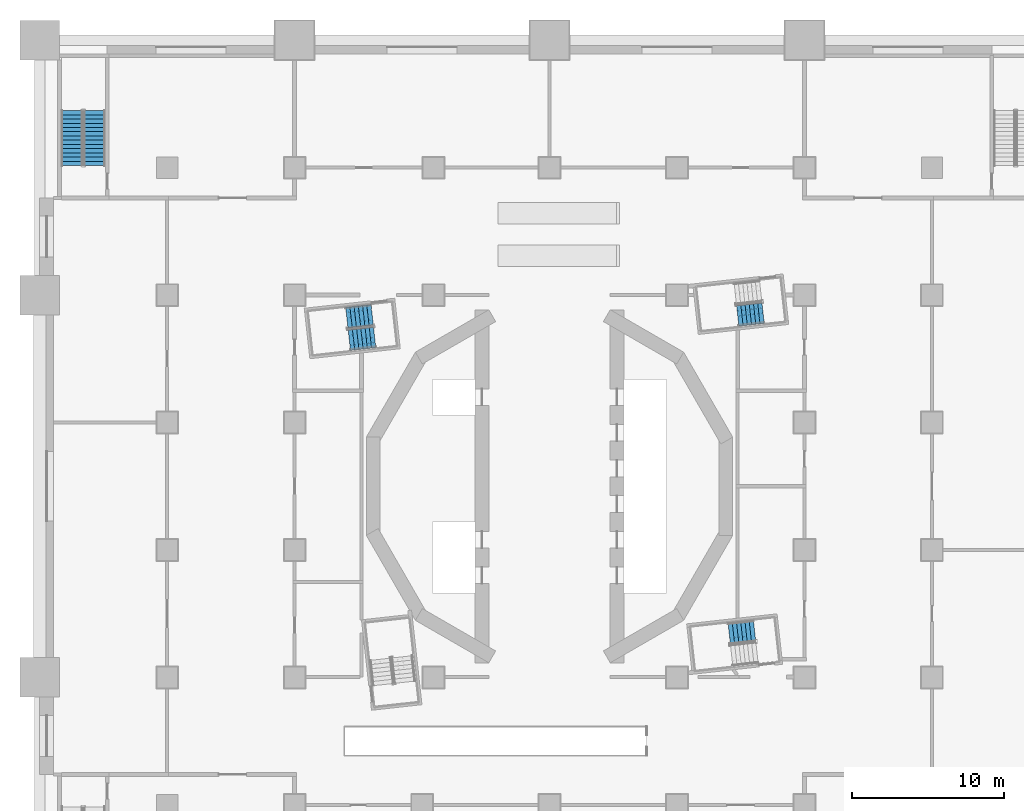
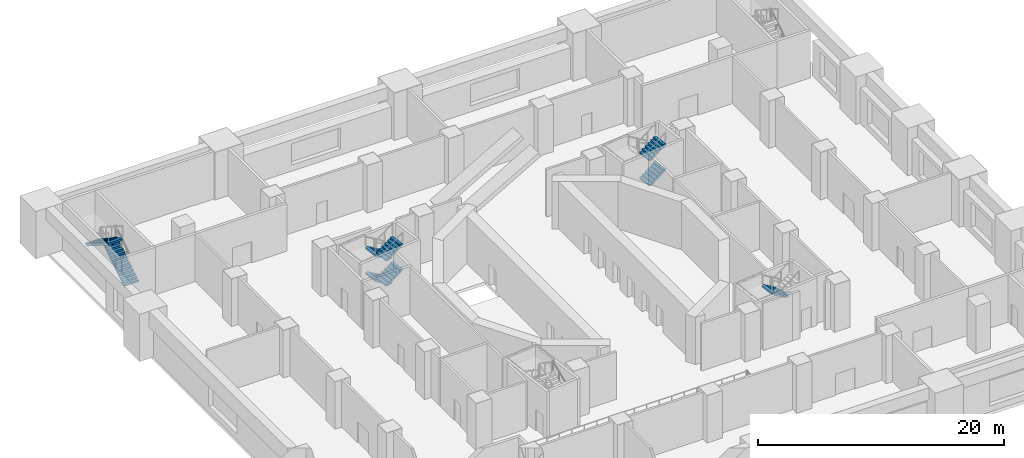
# One storey, part 7 of 19: 9 stair flights, 4 elements without a shape of their own.
"""IFC4 building model written with IfcOpenShell, lengths in metres."""

from ifc_helpers import new_model, si_unit, direction, frame, origin, place, context, subcontext, project, spatial, polyline, outline, extrude, material, type_object, element, aggregate, save


model = new_model("IFC4")

# Units and contexts
model_context = context("Model", 3, precision=1e-05, world=origin(), true_north=direction((0.0, 1.0)))
body_context = subcontext(model_context, "Body", "Model", "MODEL_VIEW")
ifc_project = project(units=[si_unit("LENGTHUNIT", "METRE"), si_unit("AREAUNIT", "SQUARE_METRE"), si_unit("VOLUMEUNIT", "CUBIC_METRE"), si_unit("PLANEANGLEUNIT", "RADIAN"), si_unit("MASSUNIT", "GRAM", prefix="KILO")], contexts=[model_context])

# Site, building, storey
site_placement = place(None, origin())
site = spatial("IfcSite", under=ifc_project, at=site_placement, CompositionType="ELEMENT")
building_placement = place(site_placement, origin())
building = spatial("IfcBuilding", under=site, at=building_placement, Name="Cantera Rosa Tower", CompositionType="ELEMENT")
storey_placement = place(building_placement, frame((0.0, 0.0, 12.0)))
storey = spatial("IfcBuildingStorey", under=building, at=storey_placement, Name="L01", CompositionType="ELEMENT", Elevation=12.0)

# Stair, stair flights
ifc_material_1 = material(Name="Concrete C35/45", Category="concrete")
stair_type_1 = type_object("IfcStairType", Name="EXIT STAIR 1350 DOGLEG", PredefinedType="HALF_TURN_STAIR", material=ifc_material_1)
stair_1_placement = place(storey_placement, origin())
stair_1 = element("IfcStair", 1, at=stair_1_placement, inside=storey, type_object=stair_type_1, Name="L01 ST-11", PredefinedType="HALF_TURN_STAIR")
ifc_material_2 = material(Name="Concrete C35/45", Category="concrete")
stair_flight_type_1 = type_object("IfcStairFlightType", Name="STAIR FLIGHT 1350 R28x179", PredefinedType="STRAIGHT", material=ifc_material_2)
stair_flight_1_placement = place(storey_placement, frame((12.404541015625, 11.2236328125, 1.25), z_axis=(0.0, 0.0, 1.0), x_axis=(0.993896947056, 0.110312549749, 0.0)))
stair_flight_1 = element("IfcStairFlight", 2, at=stair_flight_1_placement, type_object=stair_flight_type_1, Name="ST-11 flight 2", NumberOfRisers=7, NumberOfTreads=6, PredefinedType="STRAIGHT", RiserHeight=0.178571429, TreadLength=0.28, context=body_context, shape_type="SweptSolid", body=[
    extrude(outline(polyline([(0.0, 0.0), (0.0, 0.178466796875), (0.280029296875, 0.178466796875), (0.280029296875, 0.357177734375), (0.56005859375, 0.357177734375), (0.56005859375, 0.53564453125), (0.840087890625, 0.53564453125), (0.840087890625, 0.71435546875), (1.1201171875, 0.71435546875), (1.1201171875, 0.892822265625), (1.39990234375, 0.892822265625), (1.39990234375, 1.071533203125), (1.679931640625, 1.071533203125), (1.679931640625, 1.25), (1.679931640625, 0.8935546875), (0.27880859375, 0.0), (0.0, 0.0)])), frame((0.0, 0.675048828125, 0.0), z_axis=(0.0, -1.0, 0.0), x_axis=(1.0, 0.0, 0.0)), (0.0, 0.0, 1.0), 0.3359375),
    extrude(outline(polyline([(0.0, 0.0), (0.0, 0.178466796875), (0.280029296875, 0.178466796875), (0.280029296875, 0.357177734375), (0.56005859375, 0.357177734375), (0.56005859375, 0.53564453125), (0.840087890625, 0.53564453125), (0.840087890625, 0.71435546875), (1.1201171875, 0.71435546875), (1.1201171875, 0.892822265625), (1.39990234375, 0.892822265625), (1.39990234375, 1.071533203125), (1.679931640625, 1.071533203125), (1.679931640625, 1.25), (1.679931640625, 0.8935546875), (0.27880859375, 0.0), (0.0, 0.0)])), frame((0.0, 0.337158203125, 0.0), z_axis=(0.0, -1.0, 0.0), x_axis=(1.0, 0.0, 0.0)), (0.0, 0.0, 1.0), 0.3359375),
    extrude(outline(polyline([(0.0, 0.0), (0.0, 0.178466796875), (0.280029296875, 0.178466796875), (0.280029296875, 0.357177734375), (0.56005859375, 0.357177734375), (0.56005859375, 0.53564453125), (0.840087890625, 0.53564453125), (0.840087890625, 0.71435546875), (1.1201171875, 0.71435546875), (1.1201171875, 0.892822265625), (1.39990234375, 0.892822265625), (1.39990234375, 1.071533203125), (1.679931640625, 1.071533203125), (1.679931640625, 1.25), (1.679931640625, 0.8935546875), (0.27880859375, 0.0), (0.0, 0.0)])), frame((0.0, -0.000732421875, 0.0), z_axis=(0.0, -1.0, 0.0), x_axis=(1.0, 0.0, 0.0)), (0.0, 0.0, 1.0), 0.3359375),
    extrude(outline(polyline([(0.0, 0.0), (0.0, 0.178466796875), (0.280029296875, 0.178466796875), (0.280029296875, 0.357177734375), (0.56005859375, 0.357177734375), (0.56005859375, 0.53564453125), (0.840087890625, 0.53564453125), (0.840087890625, 0.71435546875), (1.1201171875, 0.71435546875), (1.1201171875, 0.892822265625), (1.39990234375, 0.892822265625), (1.39990234375, 1.071533203125), (1.679931640625, 1.071533203125), (1.679931640625, 1.25), (1.679931640625, 0.8935546875), (0.27880859375, 0.0), (0.0, 0.0)])), frame((0.0, -0.338623046875, 0.0), z_axis=(0.0, -1.0, 0.0), x_axis=(1.0, 0.0, 0.0)), (0.0, 0.0, 1.0), 0.3359375),
])
stair_flight_2_placement = place(storey_placement, frame((12.404541015625, 11.2236328125, 3.75), z_axis=(0.0, 0.0, 1.0), x_axis=(0.993896947056, 0.110312549749, 0.0)))
stair_flight_2 = element("IfcStairFlight", 3, at=stair_flight_2_placement, type_object=stair_flight_type_1, Name="ST-11 flight 4", NumberOfRisers=7, NumberOfTreads=6, PredefinedType="STRAIGHT", RiserHeight=0.178571429, TreadLength=0.28, context=body_context, shape_type="SweptSolid", body=[
    extrude(outline(polyline([(0.0, 0.0), (0.0, 0.178466796875), (0.280029296875, 0.178466796875), (0.280029296875, 0.357177734375), (0.56005859375, 0.357177734375), (0.56005859375, 0.53564453125), (0.840087890625, 0.53564453125), (0.840087890625, 0.71435546875), (1.1201171875, 0.71435546875), (1.1201171875, 0.892822265625), (1.39990234375, 0.892822265625), (1.39990234375, 1.071533203125), (1.679931640625, 1.071533203125), (1.679931640625, 1.25), (1.679931640625, 0.8935546875), (0.27880859375, 0.0), (0.0, 0.0)])), frame((0.0, 0.675048828125, 0.0), z_axis=(0.0, -1.0, 0.0), x_axis=(1.0, 0.0, 0.0)), (0.0, 0.0, 1.0), 0.3359375),
    extrude(outline(polyline([(0.0, 0.0), (0.0, 0.178466796875), (0.280029296875, 0.178466796875), (0.280029296875, 0.357177734375), (0.56005859375, 0.357177734375), (0.56005859375, 0.53564453125), (0.840087890625, 0.53564453125), (0.840087890625, 0.71435546875), (1.1201171875, 0.71435546875), (1.1201171875, 0.892822265625), (1.39990234375, 0.892822265625), (1.39990234375, 1.071533203125), (1.679931640625, 1.071533203125), (1.679931640625, 1.25), (1.679931640625, 0.8935546875), (0.27880859375, 0.0), (0.0, 0.0)])), frame((0.0, 0.337158203125, 0.0), z_axis=(0.0, -1.0, 0.0), x_axis=(1.0, 0.0, 0.0)), (0.0, 0.0, 1.0), 0.3359375),
    extrude(outline(polyline([(0.0, 0.0), (0.0, 0.178466796875), (0.280029296875, 0.178466796875), (0.280029296875, 0.357177734375), (0.56005859375, 0.357177734375), (0.56005859375, 0.53564453125), (0.840087890625, 0.53564453125), (0.840087890625, 0.71435546875), (1.1201171875, 0.71435546875), (1.1201171875, 0.892822265625), (1.39990234375, 0.892822265625), (1.39990234375, 1.071533203125), (1.679931640625, 1.071533203125), (1.679931640625, 1.25), (1.679931640625, 0.8935546875), (0.27880859375, 0.0), (0.0, 0.0)])), frame((0.0, -0.000732421875, 0.0), z_axis=(0.0, -1.0, 0.0), x_axis=(1.0, 0.0, 0.0)), (0.0, 0.0, 1.0), 0.3359375),
    extrude(outline(polyline([(0.0, 0.0), (0.0, 0.178466796875), (0.280029296875, 0.178466796875), (0.280029296875, 0.357177734375), (0.56005859375, 0.357177734375), (0.56005859375, 0.53564453125), (0.840087890625, 0.53564453125), (0.840087890625, 0.71435546875), (1.1201171875, 0.71435546875), (1.1201171875, 0.892822265625), (1.39990234375, 0.892822265625), (1.39990234375, 1.071533203125), (1.679931640625, 1.071533203125), (1.679931640625, 1.25), (1.679931640625, 0.8935546875), (0.27880859375, 0.0), (0.0, 0.0)])), frame((0.0, -0.338623046875, 0.0), z_axis=(0.0, -1.0, 0.0), x_axis=(1.0, 0.0, 0.0)), (0.0, 0.0, 1.0), 0.3359375),
])
aggregate(stair_1, [stair_flight_1, stair_flight_2])

stair_2_placement = place(storey_placement, origin())
stair_2 = element("IfcStair", 4, at=stair_2_placement, inside=storey, type_object=stair_type_1, Name="L01 ST-12", PredefinedType="HALF_TURN_STAIR")
stair_flight_3_placement = place(storey_placement, frame((-11.691162109375, 11.2998046875, 0.0), z_axis=(0.0, 0.0, 1.0), x_axis=(-0.993896947056, -0.110312549749, 0.0)))
stair_flight_3 = element("IfcStairFlight", 5, at=stair_flight_3_placement, type_object=stair_flight_type_1, Name="ST-12 flight 1", NumberOfRisers=7, NumberOfTreads=6, PredefinedType="STRAIGHT", RiserHeight=0.178571429, TreadLength=0.28, context=body_context, shape_type="SweptSolid", body=[
    extrude(outline(polyline([(0.0, 0.0), (0.0, 0.178466796875), (0.280029296875, 0.178466796875), (0.280029296875, 0.357177734375), (0.56005859375, 0.357177734375), (0.56005859375, 0.53564453125), (0.840087890625, 0.53564453125), (0.840087890625, 0.71435546875), (1.1201171875, 0.71435546875), (1.1201171875, 0.892822265625), (1.39990234375, 0.892822265625), (1.39990234375, 1.071533203125), (1.679931640625, 1.071533203125), (1.679931640625, 1.25), (1.679931640625, 0.8935546875), (0.27880859375, 0.0), (0.0, 0.0)])), frame((0.0, 0.675048828125, 0.0), z_axis=(0.0, -1.0, 0.0), x_axis=(1.0, 0.0, 0.0)), (0.0, 0.0, 1.0), 0.3359375),
    extrude(outline(polyline([(0.0, 0.0), (0.0, 0.178466796875), (0.280029296875, 0.178466796875), (0.280029296875, 0.357177734375), (0.56005859375, 0.357177734375), (0.56005859375, 0.53564453125), (0.840087890625, 0.53564453125), (0.840087890625, 0.71435546875), (1.1201171875, 0.71435546875), (1.1201171875, 0.892822265625), (1.39990234375, 0.892822265625), (1.39990234375, 1.071533203125), (1.679931640625, 1.071533203125), (1.679931640625, 1.25), (1.679931640625, 0.8935546875), (0.27880859375, 0.0), (0.0, 0.0)])), frame((0.0, 0.337158203125, 0.0), z_axis=(0.0, -1.0, 0.0), x_axis=(1.0, 0.0, 0.0)), (0.0, 0.0, 1.0), 0.3359375),
    extrude(outline(polyline([(0.0, 0.0), (0.0, 0.178466796875), (0.280029296875, 0.178466796875), (0.280029296875, 0.357177734375), (0.56005859375, 0.357177734375), (0.56005859375, 0.53564453125), (0.840087890625, 0.53564453125), (0.840087890625, 0.71435546875), (1.1201171875, 0.71435546875), (1.1201171875, 0.892822265625), (1.39990234375, 0.892822265625), (1.39990234375, 1.071533203125), (1.679931640625, 1.071533203125), (1.679931640625, 1.25), (1.679931640625, 0.8935546875), (0.27880859375, 0.0), (0.0, 0.0)])), frame((0.0, -0.000732421875, 0.0), z_axis=(0.0, -1.0, 0.0), x_axis=(1.0, 0.0, 0.0)), (0.0, 0.0, 1.0), 0.3359375),
    extrude(outline(polyline([(0.0, 0.0), (0.0, 0.178466796875), (0.280029296875, 0.178466796875), (0.280029296875, 0.357177734375), (0.56005859375, 0.357177734375), (0.56005859375, 0.53564453125), (0.840087890625, 0.53564453125), (0.840087890625, 0.71435546875), (1.1201171875, 0.71435546875), (1.1201171875, 0.892822265625), (1.39990234375, 0.892822265625), (1.39990234375, 1.071533203125), (1.679931640625, 1.071533203125), (1.679931640625, 1.25), (1.679931640625, 0.8935546875), (0.27880859375, 0.0), (0.0, 0.0)])), frame((0.0, -0.338623046875, 0.0), z_axis=(0.0, -1.0, 0.0), x_axis=(1.0, 0.0, 0.0)), (0.0, 0.0, 1.0), 0.3359375),
])
stair_flight_4_placement = place(storey_placement, frame((-13.195556640625, 9.623779296875, 1.25), z_axis=(0.0, 0.0, 1.0), x_axis=(0.993896947056, 0.110312549749, 0.0)))
stair_flight_4 = element("IfcStairFlight", 6, at=stair_flight_4_placement, type_object=stair_flight_type_1, Name="ST-12 flight 2", NumberOfRisers=7, NumberOfTreads=6, PredefinedType="STRAIGHT", RiserHeight=0.178571429, TreadLength=0.28, context=body_context, shape_type="SweptSolid", body=[
    extrude(outline(polyline([(0.0, 0.0), (0.0, 0.178466796875), (0.280029296875, 0.178466796875), (0.280029296875, 0.357177734375), (0.56005859375, 0.357177734375), (0.56005859375, 0.53564453125), (0.840087890625, 0.53564453125), (0.840087890625, 0.71435546875), (1.1201171875, 0.71435546875), (1.1201171875, 0.892822265625), (1.39990234375, 0.892822265625), (1.39990234375, 1.071533203125), (1.679931640625, 1.071533203125), (1.679931640625, 1.25), (1.679931640625, 0.8935546875), (0.27880859375, 0.0), (0.0, 0.0)])), frame((0.0, 0.675048828125, 0.0), z_axis=(0.0, -1.0, 0.0), x_axis=(1.0, 0.0, 0.0)), (0.0, 0.0, 1.0), 0.3359375),
    extrude(outline(polyline([(0.0, 0.0), (0.0, 0.178466796875), (0.280029296875, 0.178466796875), (0.280029296875, 0.357177734375), (0.56005859375, 0.357177734375), (0.56005859375, 0.53564453125), (0.840087890625, 0.53564453125), (0.840087890625, 0.71435546875), (1.1201171875, 0.71435546875), (1.1201171875, 0.892822265625), (1.39990234375, 0.892822265625), (1.39990234375, 1.071533203125), (1.679931640625, 1.071533203125), (1.679931640625, 1.25), (1.679931640625, 0.8935546875), (0.27880859375, 0.0), (0.0, 0.0)])), frame((0.0, 0.337158203125, 0.0), z_axis=(0.0, -1.0, 0.0), x_axis=(1.0, 0.0, 0.0)), (0.0, 0.0, 1.0), 0.3359375),
    extrude(outline(polyline([(0.0, 0.0), (0.0, 0.178466796875), (0.280029296875, 0.178466796875), (0.280029296875, 0.357177734375), (0.56005859375, 0.357177734375), (0.56005859375, 0.53564453125), (0.840087890625, 0.53564453125), (0.840087890625, 0.71435546875), (1.1201171875, 0.71435546875), (1.1201171875, 0.892822265625), (1.39990234375, 0.892822265625), (1.39990234375, 1.071533203125), (1.679931640625, 1.071533203125), (1.679931640625, 1.25), (1.679931640625, 0.8935546875), (0.27880859375, 0.0), (0.0, 0.0)])), frame((0.0, -0.000732421875, 0.0), z_axis=(0.0, -1.0, 0.0), x_axis=(1.0, 0.0, 0.0)), (0.0, 0.0, 1.0), 0.3359375),
    extrude(outline(polyline([(0.0, 0.0), (0.0, 0.178466796875), (0.280029296875, 0.178466796875), (0.280029296875, 0.357177734375), (0.56005859375, 0.357177734375), (0.56005859375, 0.53564453125), (0.840087890625, 0.53564453125), (0.840087890625, 0.71435546875), (1.1201171875, 0.71435546875), (1.1201171875, 0.892822265625), (1.39990234375, 0.892822265625), (1.39990234375, 1.071533203125), (1.679931640625, 1.071533203125), (1.679931640625, 1.25), (1.679931640625, 0.8935546875), (0.27880859375, 0.0), (0.0, 0.0)])), frame((0.0, -0.338623046875, 0.0), z_axis=(0.0, -1.0, 0.0), x_axis=(1.0, 0.0, 0.0)), (0.0, 0.0, 1.0), 0.3359375),
])
stair_flight_5_placement = place(storey_placement, frame((-11.691162109375, 11.2998046875, 2.5), z_axis=(0.0, 0.0, 1.0), x_axis=(-0.993896947056, -0.110312549749, 0.0)))
stair_flight_5 = element("IfcStairFlight", 7, at=stair_flight_5_placement, type_object=stair_flight_type_1, Name="ST-12 flight 3", NumberOfRisers=7, NumberOfTreads=6, PredefinedType="STRAIGHT", RiserHeight=0.178571429, TreadLength=0.28, context=body_context, shape_type="SweptSolid", body=[
    extrude(outline(polyline([(0.0, 0.0), (0.0, 0.178466796875), (0.280029296875, 0.178466796875), (0.280029296875, 0.357177734375), (0.56005859375, 0.357177734375), (0.56005859375, 0.53564453125), (0.840087890625, 0.53564453125), (0.840087890625, 0.71435546875), (1.1201171875, 0.71435546875), (1.1201171875, 0.892822265625), (1.39990234375, 0.892822265625), (1.39990234375, 1.071533203125), (1.679931640625, 1.071533203125), (1.679931640625, 1.25), (1.679931640625, 0.8935546875), (0.27880859375, 0.0), (0.0, 0.0)])), frame((0.0, 0.675048828125, 0.0), z_axis=(0.0, -1.0, 0.0), x_axis=(1.0, 0.0, 0.0)), (0.0, 0.0, 1.0), 0.3359375),
    extrude(outline(polyline([(0.0, 0.0), (0.0, 0.178466796875), (0.280029296875, 0.178466796875), (0.280029296875, 0.357177734375), (0.56005859375, 0.357177734375), (0.56005859375, 0.53564453125), (0.840087890625, 0.53564453125), (0.840087890625, 0.71435546875), (1.1201171875, 0.71435546875), (1.1201171875, 0.892822265625), (1.39990234375, 0.892822265625), (1.39990234375, 1.071533203125), (1.679931640625, 1.071533203125), (1.679931640625, 1.25), (1.679931640625, 0.8935546875), (0.27880859375, 0.0), (0.0, 0.0)])), frame((0.0, 0.337158203125, 0.0), z_axis=(0.0, -1.0, 0.0), x_axis=(1.0, 0.0, 0.0)), (0.0, 0.0, 1.0), 0.3359375),
    extrude(outline(polyline([(0.0, 0.0), (0.0, 0.178466796875), (0.280029296875, 0.178466796875), (0.280029296875, 0.357177734375), (0.56005859375, 0.357177734375), (0.56005859375, 0.53564453125), (0.840087890625, 0.53564453125), (0.840087890625, 0.71435546875), (1.1201171875, 0.71435546875), (1.1201171875, 0.892822265625), (1.39990234375, 0.892822265625), (1.39990234375, 1.071533203125), (1.679931640625, 1.071533203125), (1.679931640625, 1.25), (1.679931640625, 0.8935546875), (0.27880859375, 0.0), (0.0, 0.0)])), frame((0.0, -0.000732421875, 0.0), z_axis=(0.0, -1.0, 0.0), x_axis=(1.0, 0.0, 0.0)), (0.0, 0.0, 1.0), 0.3359375),
    extrude(outline(polyline([(0.0, 0.0), (0.0, 0.178466796875), (0.280029296875, 0.178466796875), (0.280029296875, 0.357177734375), (0.56005859375, 0.357177734375), (0.56005859375, 0.53564453125), (0.840087890625, 0.53564453125), (0.840087890625, 0.71435546875), (1.1201171875, 0.71435546875), (1.1201171875, 0.892822265625), (1.39990234375, 0.892822265625), (1.39990234375, 1.071533203125), (1.679931640625, 1.071533203125), (1.679931640625, 1.25), (1.679931640625, 0.8935546875), (0.27880859375, 0.0), (0.0, 0.0)])), frame((0.0, -0.338623046875, 0.0), z_axis=(0.0, -1.0, 0.0), x_axis=(1.0, 0.0, 0.0)), (0.0, 0.0, 1.0), 0.3359375),
])
stair_flight_6_placement = place(storey_placement, frame((-13.195556640625, 9.623779296875, 3.75), z_axis=(0.0, 0.0, 1.0), x_axis=(0.993896947056, 0.110312549749, 0.0)))
stair_flight_6 = element("IfcStairFlight", 8, at=stair_flight_6_placement, type_object=stair_flight_type_1, Name="ST-12 flight 4", NumberOfRisers=7, NumberOfTreads=6, PredefinedType="STRAIGHT", RiserHeight=0.178571429, TreadLength=0.28, context=body_context, shape_type="SweptSolid", body=[
    extrude(outline(polyline([(0.0, 0.0), (0.0, 0.178466796875), (0.280029296875, 0.178466796875), (0.280029296875, 0.357177734375), (0.56005859375, 0.357177734375), (0.56005859375, 0.53564453125), (0.840087890625, 0.53564453125), (0.840087890625, 0.71435546875), (1.1201171875, 0.71435546875), (1.1201171875, 0.892822265625), (1.39990234375, 0.892822265625), (1.39990234375, 1.071533203125), (1.679931640625, 1.071533203125), (1.679931640625, 1.25), (1.679931640625, 0.8935546875), (0.27880859375, 0.0), (0.0, 0.0)])), frame((0.0, 0.675048828125, 0.0), z_axis=(0.0, -1.0, 0.0), x_axis=(1.0, 0.0, 0.0)), (0.0, 0.0, 1.0), 0.3359375),
    extrude(outline(polyline([(0.0, 0.0), (0.0, 0.178466796875), (0.280029296875, 0.178466796875), (0.280029296875, 0.357177734375), (0.56005859375, 0.357177734375), (0.56005859375, 0.53564453125), (0.840087890625, 0.53564453125), (0.840087890625, 0.71435546875), (1.1201171875, 0.71435546875), (1.1201171875, 0.892822265625), (1.39990234375, 0.892822265625), (1.39990234375, 1.071533203125), (1.679931640625, 1.071533203125), (1.679931640625, 1.25), (1.679931640625, 0.8935546875), (0.27880859375, 0.0), (0.0, 0.0)])), frame((0.0, 0.337158203125, 0.0), z_axis=(0.0, -1.0, 0.0), x_axis=(1.0, 0.0, 0.0)), (0.0, 0.0, 1.0), 0.3359375),
    extrude(outline(polyline([(0.0, 0.0), (0.0, 0.178466796875), (0.280029296875, 0.178466796875), (0.280029296875, 0.357177734375), (0.56005859375, 0.357177734375), (0.56005859375, 0.53564453125), (0.840087890625, 0.53564453125), (0.840087890625, 0.71435546875), (1.1201171875, 0.71435546875), (1.1201171875, 0.892822265625), (1.39990234375, 0.892822265625), (1.39990234375, 1.071533203125), (1.679931640625, 1.071533203125), (1.679931640625, 1.25), (1.679931640625, 0.8935546875), (0.27880859375, 0.0), (0.0, 0.0)])), frame((0.0, -0.000732421875, 0.0), z_axis=(0.0, -1.0, 0.0), x_axis=(1.0, 0.0, 0.0)), (0.0, 0.0, 1.0), 0.3359375),
    extrude(outline(polyline([(0.0, 0.0), (0.0, 0.178466796875), (0.280029296875, 0.178466796875), (0.280029296875, 0.357177734375), (0.56005859375, 0.357177734375), (0.56005859375, 0.53564453125), (0.840087890625, 0.53564453125), (0.840087890625, 0.71435546875), (1.1201171875, 0.71435546875), (1.1201171875, 0.892822265625), (1.39990234375, 0.892822265625), (1.39990234375, 1.071533203125), (1.679931640625, 1.071533203125), (1.679931640625, 1.25), (1.679931640625, 0.8935546875), (0.27880859375, 0.0), (0.0, 0.0)])), frame((0.0, -0.338623046875, 0.0), z_axis=(0.0, -1.0, 0.0), x_axis=(1.0, 0.0, 0.0)), (0.0, 0.0, 1.0), 0.3359375),
])
aggregate(stair_2, [stair_flight_3, stair_flight_4, stair_flight_5, stair_flight_6])

# Stair, stair flight
stair_3_placement = place(storey_placement, origin())
stair_3 = element("IfcStair", 9, at=stair_3_placement, inside=storey, type_object=stair_type_1, Name="L01 ST-14", PredefinedType="HALF_TURN_STAIR")
stair_flight_7_placement = place(storey_placement, frame((13.5087890625, -9.500244140625, 2.5), z_axis=(0.0, 0.0, 1.0), x_axis=(-0.993896947056, -0.110312549749, 0.0)))
stair_flight_7 = element("IfcStairFlight", 10, at=stair_flight_7_placement, type_object=stair_flight_type_1, Name="ST-14 flight 3", NumberOfRisers=7, NumberOfTreads=6, PredefinedType="STRAIGHT", RiserHeight=0.178571429, TreadLength=0.28, context=body_context, shape_type="SweptSolid", body=[
    extrude(outline(polyline([(0.0, 0.0), (0.0, 0.178466796875), (0.280029296875, 0.178466796875), (0.280029296875, 0.357177734375), (0.56005859375, 0.357177734375), (0.56005859375, 0.53564453125), (0.840087890625, 0.53564453125), (0.840087890625, 0.71435546875), (1.1201171875, 0.71435546875), (1.1201171875, 0.892822265625), (1.39990234375, 0.892822265625), (1.39990234375, 1.071533203125), (1.679931640625, 1.071533203125), (1.679931640625, 1.25), (1.679931640625, 0.8935546875), (0.27880859375, 0.0), (0.0, 0.0)])), frame((0.0, 0.675048828125, 0.0), z_axis=(0.0, -1.0, 0.0), x_axis=(1.0, 0.0, 0.0)), (0.0, 0.0, 1.0), 0.3359375),
    extrude(outline(polyline([(0.0, 0.0), (0.0, 0.178466796875), (0.280029296875, 0.178466796875), (0.280029296875, 0.357177734375), (0.56005859375, 0.357177734375), (0.56005859375, 0.53564453125), (0.840087890625, 0.53564453125), (0.840087890625, 0.71435546875), (1.1201171875, 0.71435546875), (1.1201171875, 0.892822265625), (1.39990234375, 0.892822265625), (1.39990234375, 1.071533203125), (1.679931640625, 1.071533203125), (1.679931640625, 1.25), (1.679931640625, 0.8935546875), (0.27880859375, 0.0), (0.0, 0.0)])), frame((0.0, 0.337158203125, 0.0), z_axis=(0.0, -1.0, 0.0), x_axis=(1.0, 0.0, 0.0)), (0.0, 0.0, 1.0), 0.3359375),
    extrude(outline(polyline([(0.0, 0.0), (0.0, 0.178466796875), (0.280029296875, 0.178466796875), (0.280029296875, 0.357177734375), (0.56005859375, 0.357177734375), (0.56005859375, 0.53564453125), (0.840087890625, 0.53564453125), (0.840087890625, 0.71435546875), (1.1201171875, 0.71435546875), (1.1201171875, 0.892822265625), (1.39990234375, 0.892822265625), (1.39990234375, 1.071533203125), (1.679931640625, 1.071533203125), (1.679931640625, 1.25), (1.679931640625, 0.8935546875), (0.27880859375, 0.0), (0.0, 0.0)])), frame((0.0, -0.000732421875, 0.0), z_axis=(0.0, -1.0, 0.0), x_axis=(1.0, 0.0, 0.0)), (0.0, 0.0, 1.0), 0.3359375),
    extrude(outline(polyline([(0.0, 0.0), (0.0, 0.178466796875), (0.280029296875, 0.178466796875), (0.280029296875, 0.357177734375), (0.56005859375, 0.357177734375), (0.56005859375, 0.53564453125), (0.840087890625, 0.53564453125), (0.840087890625, 0.71435546875), (1.1201171875, 0.71435546875), (1.1201171875, 0.892822265625), (1.39990234375, 0.892822265625), (1.39990234375, 1.071533203125), (1.679931640625, 1.071533203125), (1.679931640625, 1.25), (1.679931640625, 0.8935546875), (0.27880859375, 0.0), (0.0, 0.0)])), frame((0.0, -0.338623046875, 0.0), z_axis=(0.0, -1.0, 0.0), x_axis=(1.0, 0.0, 0.0)), (0.0, 0.0, 1.0), 0.3359375),
])
aggregate(stair_3, [stair_flight_7])

# Stair, stair flights
ifc_material_3 = material(Name="Concrete C35/45", Category="concrete")
stair_type_2 = type_object("IfcStairType", Name="Stair half-turn 1350", PredefinedType="HALF_TURN_STAIR", material=ifc_material_3)
stair_4_placement = place(storey_placement, origin())
stair_4 = element("IfcStair", 11, at=stair_4_placement, inside=storey, type_object=stair_type_2, Name="L01 ST-NW", PredefinedType="HALF_TURN_STAIR")
ifc_material_4 = material(Name="Concrete C35/45", Category="concrete")
stair_flight_type_2 = type_object("IfcStairFlightType", Name="Stair flight 1350", PredefinedType="STRAIGHT", material=ifc_material_4)
stair_flight_8_placement = place(storey_placement, frame((-29.949951171875, 21.125, 0.0), z_axis=(0.0, 0.0, 1.0), x_axis=(0.0, 1.0, 0.0)))
stair_flight_8 = element("IfcStairFlight", 12, at=stair_flight_8_placement, type_object=stair_flight_type_2, Name="ST-NW flight 1", NumberOfRisers=14, NumberOfTreads=13, PredefinedType="STRAIGHT", RiserHeight=0.178571429, TreadLength=0.28, context=body_context, shape_type="SweptSolid", body=[
    extrude(outline(polyline([(0.0, 0.0), (0.0, 0.178466796875), (0.280029296875, 0.178466796875), (0.280029296875, 0.357177734375), (0.56005859375, 0.357177734375), (0.56005859375, 0.53564453125), (0.840087890625, 0.53564453125), (0.840087890625, 0.71435546875), (1.1201171875, 0.71435546875), (1.1201171875, 0.892822265625), (1.39990234375, 0.892822265625), (1.39990234375, 1.071533203125), (1.679931640625, 1.071533203125), (1.679931640625, 1.25), (1.9599609375, 1.25), (1.9599609375, 1.428466796875), (2.239990234375, 1.428466796875), (2.239990234375, 1.607177734375), (2.52001953125, 1.607177734375), (2.52001953125, 1.78564453125), (2.800048828125, 1.78564453125), (2.800048828125, 1.96435546875), (3.080078125, 1.96435546875), (3.080078125, 2.142822265625), (3.360107421875, 2.142822265625), (3.360107421875, 2.321533203125), (3.639892578125, 2.321533203125), (3.639892578125, 2.5), (3.639892578125, 2.1435546875), (0.27880859375, 0.0), (0.0, 0.0)])), frame((0.0, 0.675048828125, 0.0), z_axis=(0.0, -1.0, 0.0), x_axis=(1.0, 0.0, 0.0)), (0.0, 0.0, 1.0), 0.3359375),
    extrude(outline(polyline([(0.0, 0.0), (0.0, 0.178466796875), (0.280029296875, 0.178466796875), (0.280029296875, 0.357177734375), (0.56005859375, 0.357177734375), (0.56005859375, 0.53564453125), (0.840087890625, 0.53564453125), (0.840087890625, 0.71435546875), (1.1201171875, 0.71435546875), (1.1201171875, 0.892822265625), (1.39990234375, 0.892822265625), (1.39990234375, 1.071533203125), (1.679931640625, 1.071533203125), (1.679931640625, 1.25), (1.9599609375, 1.25), (1.9599609375, 1.428466796875), (2.239990234375, 1.428466796875), (2.239990234375, 1.607177734375), (2.52001953125, 1.607177734375), (2.52001953125, 1.78564453125), (2.800048828125, 1.78564453125), (2.800048828125, 1.96435546875), (3.080078125, 1.96435546875), (3.080078125, 2.142822265625), (3.360107421875, 2.142822265625), (3.360107421875, 2.321533203125), (3.639892578125, 2.321533203125), (3.639892578125, 2.5), (3.639892578125, 2.1435546875), (0.27880859375, 0.0), (0.0, 0.0)])), frame((0.0, 0.337158203125, 0.0), z_axis=(0.0, -1.0, 0.0), x_axis=(1.0, 0.0, 0.0)), (0.0, 0.0, 1.0), 0.3359375),
    extrude(outline(polyline([(0.0, 0.0), (0.0, 0.178466796875), (0.280029296875, 0.178466796875), (0.280029296875, 0.357177734375), (0.56005859375, 0.357177734375), (0.56005859375, 0.53564453125), (0.840087890625, 0.53564453125), (0.840087890625, 0.71435546875), (1.1201171875, 0.71435546875), (1.1201171875, 0.892822265625), (1.39990234375, 0.892822265625), (1.39990234375, 1.071533203125), (1.679931640625, 1.071533203125), (1.679931640625, 1.25), (1.9599609375, 1.25), (1.9599609375, 1.428466796875), (2.239990234375, 1.428466796875), (2.239990234375, 1.607177734375), (2.52001953125, 1.607177734375), (2.52001953125, 1.78564453125), (2.800048828125, 1.78564453125), (2.800048828125, 1.96435546875), (3.080078125, 1.96435546875), (3.080078125, 2.142822265625), (3.360107421875, 2.142822265625), (3.360107421875, 2.321533203125), (3.639892578125, 2.321533203125), (3.639892578125, 2.5), (3.639892578125, 2.1435546875), (0.27880859375, 0.0), (0.0, 0.0)])), frame((0.0, -0.000732421875, 0.0), z_axis=(0.0, -1.0, 0.0), x_axis=(1.0, 0.0, 0.0)), (0.0, 0.0, 1.0), 0.3359375),
    extrude(outline(polyline([(0.0, 0.0), (0.0, 0.178466796875), (0.280029296875, 0.178466796875), (0.280029296875, 0.357177734375), (0.56005859375, 0.357177734375), (0.56005859375, 0.53564453125), (0.840087890625, 0.53564453125), (0.840087890625, 0.71435546875), (1.1201171875, 0.71435546875), (1.1201171875, 0.892822265625), (1.39990234375, 0.892822265625), (1.39990234375, 1.071533203125), (1.679931640625, 1.071533203125), (1.679931640625, 1.25), (1.9599609375, 1.25), (1.9599609375, 1.428466796875), (2.239990234375, 1.428466796875), (2.239990234375, 1.607177734375), (2.52001953125, 1.607177734375), (2.52001953125, 1.78564453125), (2.800048828125, 1.78564453125), (2.800048828125, 1.96435546875), (3.080078125, 1.96435546875), (3.080078125, 2.142822265625), (3.360107421875, 2.142822265625), (3.360107421875, 2.321533203125), (3.639892578125, 2.321533203125), (3.639892578125, 2.5), (3.639892578125, 2.1435546875), (0.27880859375, 0.0), (0.0, 0.0)])), frame((0.0, -0.338623046875, 0.0), z_axis=(0.0, -1.0, 0.0), x_axis=(1.0, 0.0, 0.0)), (0.0, 0.0, 1.0), 0.3359375),
])
stair_flight_9_placement = place(storey_placement, frame((-31.5, 24.764892578125, 2.5), z_axis=(0.0, 0.0, 1.0), x_axis=(0.0, -1.0, 0.0)))
stair_flight_9 = element("IfcStairFlight", 13, at=stair_flight_9_placement, type_object=stair_flight_type_2, Name="ST-NW flight 2", NumberOfRisers=14, NumberOfTreads=13, PredefinedType="STRAIGHT", RiserHeight=0.178571429, TreadLength=0.28, context=body_context, shape_type="SweptSolid", body=[
    extrude(outline(polyline([(0.0, 0.0), (0.0, 0.178466796875), (0.280029296875, 0.178466796875), (0.280029296875, 0.357177734375), (0.56005859375, 0.357177734375), (0.56005859375, 0.53564453125), (0.840087890625, 0.53564453125), (0.840087890625, 0.71435546875), (1.1201171875, 0.71435546875), (1.1201171875, 0.892822265625), (1.39990234375, 0.892822265625), (1.39990234375, 1.071533203125), (1.679931640625, 1.071533203125), (1.679931640625, 1.25), (1.9599609375, 1.25), (1.9599609375, 1.428466796875), (2.239990234375, 1.428466796875), (2.239990234375, 1.607177734375), (2.52001953125, 1.607177734375), (2.52001953125, 1.78564453125), (2.800048828125, 1.78564453125), (2.800048828125, 1.96435546875), (3.080078125, 1.96435546875), (3.080078125, 2.142822265625), (3.360107421875, 2.142822265625), (3.360107421875, 2.321533203125), (3.639892578125, 2.321533203125), (3.639892578125, 2.5), (3.639892578125, 2.1435546875), (0.27880859375, 0.0), (0.0, 0.0)])), frame((0.0, 0.675048828125, 0.0), z_axis=(0.0, -1.0, 0.0), x_axis=(1.0, 0.0, 0.0)), (0.0, 0.0, 1.0), 0.3359375),
    extrude(outline(polyline([(0.0, 0.0), (0.0, 0.178466796875), (0.280029296875, 0.178466796875), (0.280029296875, 0.357177734375), (0.56005859375, 0.357177734375), (0.56005859375, 0.53564453125), (0.840087890625, 0.53564453125), (0.840087890625, 0.71435546875), (1.1201171875, 0.71435546875), (1.1201171875, 0.892822265625), (1.39990234375, 0.892822265625), (1.39990234375, 1.071533203125), (1.679931640625, 1.071533203125), (1.679931640625, 1.25), (1.9599609375, 1.25), (1.9599609375, 1.428466796875), (2.239990234375, 1.428466796875), (2.239990234375, 1.607177734375), (2.52001953125, 1.607177734375), (2.52001953125, 1.78564453125), (2.800048828125, 1.78564453125), (2.800048828125, 1.96435546875), (3.080078125, 1.96435546875), (3.080078125, 2.142822265625), (3.360107421875, 2.142822265625), (3.360107421875, 2.321533203125), (3.639892578125, 2.321533203125), (3.639892578125, 2.5), (3.639892578125, 2.1435546875), (0.27880859375, 0.0), (0.0, 0.0)])), frame((0.0, 0.337158203125, 0.0), z_axis=(0.0, -1.0, 0.0), x_axis=(1.0, 0.0, 0.0)), (0.0, 0.0, 1.0), 0.3359375),
    extrude(outline(polyline([(0.0, 0.0), (0.0, 0.178466796875), (0.280029296875, 0.178466796875), (0.280029296875, 0.357177734375), (0.56005859375, 0.357177734375), (0.56005859375, 0.53564453125), (0.840087890625, 0.53564453125), (0.840087890625, 0.71435546875), (1.1201171875, 0.71435546875), (1.1201171875, 0.892822265625), (1.39990234375, 0.892822265625), (1.39990234375, 1.071533203125), (1.679931640625, 1.071533203125), (1.679931640625, 1.25), (1.9599609375, 1.25), (1.9599609375, 1.428466796875), (2.239990234375, 1.428466796875), (2.239990234375, 1.607177734375), (2.52001953125, 1.607177734375), (2.52001953125, 1.78564453125), (2.800048828125, 1.78564453125), (2.800048828125, 1.96435546875), (3.080078125, 1.96435546875), (3.080078125, 2.142822265625), (3.360107421875, 2.142822265625), (3.360107421875, 2.321533203125), (3.639892578125, 2.321533203125), (3.639892578125, 2.5), (3.639892578125, 2.1435546875), (0.27880859375, 0.0), (0.0, 0.0)])), frame((0.0, -0.000732421875, 0.0), z_axis=(0.0, -1.0, 0.0), x_axis=(1.0, 0.0, 0.0)), (0.0, 0.0, 1.0), 0.3359375),
    extrude(outline(polyline([(0.0, 0.0), (0.0, 0.178466796875), (0.280029296875, 0.178466796875), (0.280029296875, 0.357177734375), (0.56005859375, 0.357177734375), (0.56005859375, 0.53564453125), (0.840087890625, 0.53564453125), (0.840087890625, 0.71435546875), (1.1201171875, 0.71435546875), (1.1201171875, 0.892822265625), (1.39990234375, 0.892822265625), (1.39990234375, 1.071533203125), (1.679931640625, 1.071533203125), (1.679931640625, 1.25), (1.9599609375, 1.25), (1.9599609375, 1.428466796875), (2.239990234375, 1.428466796875), (2.239990234375, 1.607177734375), (2.52001953125, 1.607177734375), (2.52001953125, 1.78564453125), (2.800048828125, 1.78564453125), (2.800048828125, 1.96435546875), (3.080078125, 1.96435546875), (3.080078125, 2.142822265625), (3.360107421875, 2.142822265625), (3.360107421875, 2.321533203125), (3.639892578125, 2.321533203125), (3.639892578125, 2.5), (3.639892578125, 2.1435546875), (0.27880859375, 0.0), (0.0, 0.0)])), frame((0.0, -0.338623046875, 0.0), z_axis=(0.0, -1.0, 0.0), x_axis=(1.0, 0.0, 0.0)), (0.0, 0.0, 1.0), 0.3359375),
])
aggregate(stair_4, [stair_flight_8, stair_flight_9])

save(model, "model.ifc")
